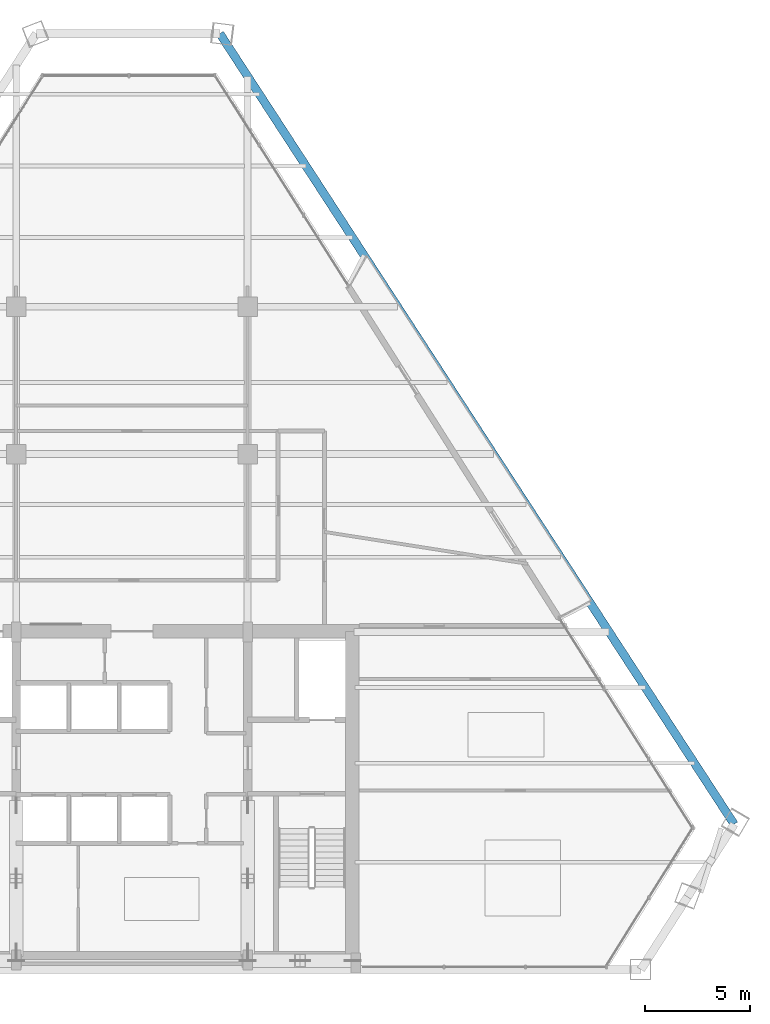
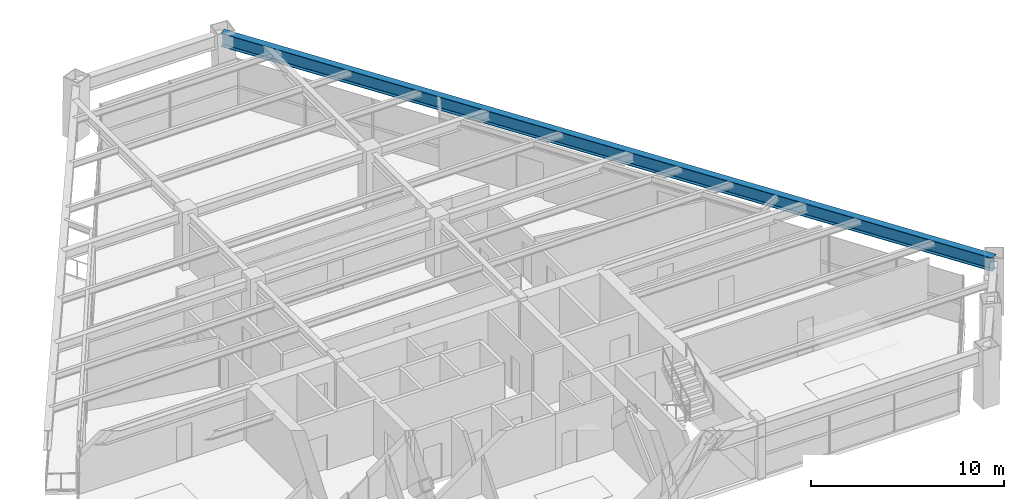
# One storey, part 7 of 15: 1 beam.
"""IFC4 building model written with IfcOpenShell, lengths in metres."""

from ifc_helpers import new_model, si_unit, direction, frame, origin, origin_2d, place, context, subcontext, project, spatial, i_section, extrude, source, transform, mapped, material, material_profile, profile_set, type_object, element, save


model = new_model("IFC4")

# Units and contexts
model_context = context("Model", 3, precision=1e-05, world=origin(), true_north=direction((0.0, 1.0)))
body_context = subcontext(model_context, "Body", "Model", "MODEL_VIEW")
ifc_project = project(units=[si_unit("LENGTHUNIT", "METRE"), si_unit("AREAUNIT", "SQUARE_METRE"), si_unit("VOLUMEUNIT", "CUBIC_METRE"), si_unit("PLANEANGLEUNIT", "RADIAN"), si_unit("MASSUNIT", "GRAM", prefix="KILO")], contexts=[model_context])

# Site, building, storey
site_placement = place(None, origin())
site = spatial("IfcSite", under=ifc_project, at=site_placement, CompositionType="ELEMENT")
building_placement = place(site_placement, origin())
building = spatial("IfcBuilding", under=site, at=building_placement, Name="Varnakhor Terracotta Tower", CompositionType="ELEMENT")
storey_placement = place(building_placement, frame((0.0, 0.0, 174.699951171875)))
storey = spatial("IfcBuildingStorey", under=building, at=storey_placement, Name="L44", CompositionType="ELEMENT", Elevation=174.699951171875)

# Beam
ifc_material = material(Name="Steel S355", Category="steel")
ifc_material_profile = material_profile(ifc_material, i_section(OverallWidth=0.39990234375, OverallDepth=0.85498046875, WebThickness=0.01806640625, FlangeThickness=0.029052734375, FilletRadius=0.01806640625, at=origin_2d()), Name="W33X201")
ifc_profile_set = profile_set([ifc_material_profile], Name="Steel S355")
beam_type = type_object("IfcBeamType", Name="BM-W33X201", PredefinedType="BEAM", material=ifc_profile_set)
shared_shape = source(origin(), body_context, "Body", "SweptSolid", [
    extrude(i_section(OverallWidth=0.39990234375, OverallDepth=0.85498046875, WebThickness=0.01806640625, FlangeThickness=0.029052734375, FilletRadius=0.01806640625, at=origin_2d()), origin(), (0.0, 0.0, 1.0), 44.83544921875),
])
beam_placement = place(storey_placement, frame((28.629150390625, 6.903564453125, 3.04248046875), z_axis=(-0.545288235617, 0.838248614731, 0.0), x_axis=(-0.838248614731, -0.545288235617, 0.0)))
element("IfcBeam", 1, at=beam_placement, inside=storey, type_object=beam_type, Name="L44 Perimeter Spandrel 4", PredefinedType="BEAM", context=body_context, shape_type="MappedRepresentation", body=[
    mapped(shared_shape, transform((0.0, 0.0, 0.0), scale=1.0)),
])

save(model, "model.ifc")
